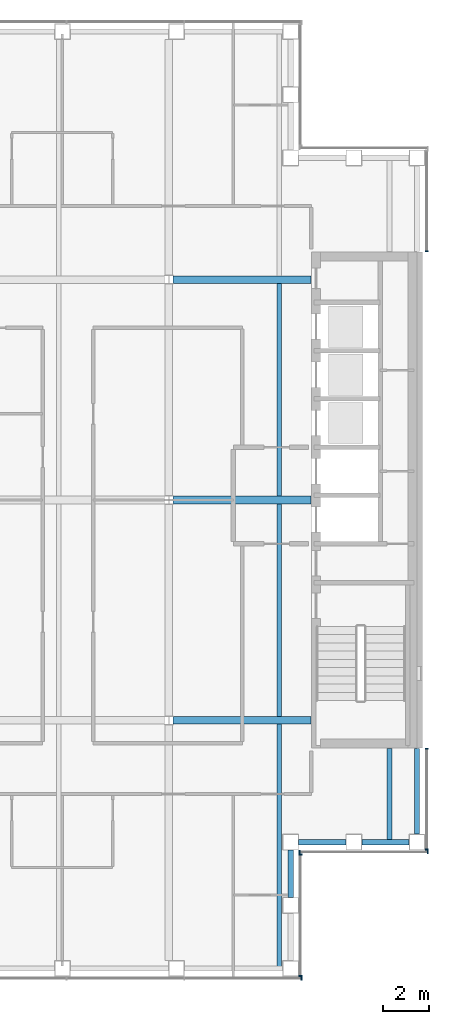
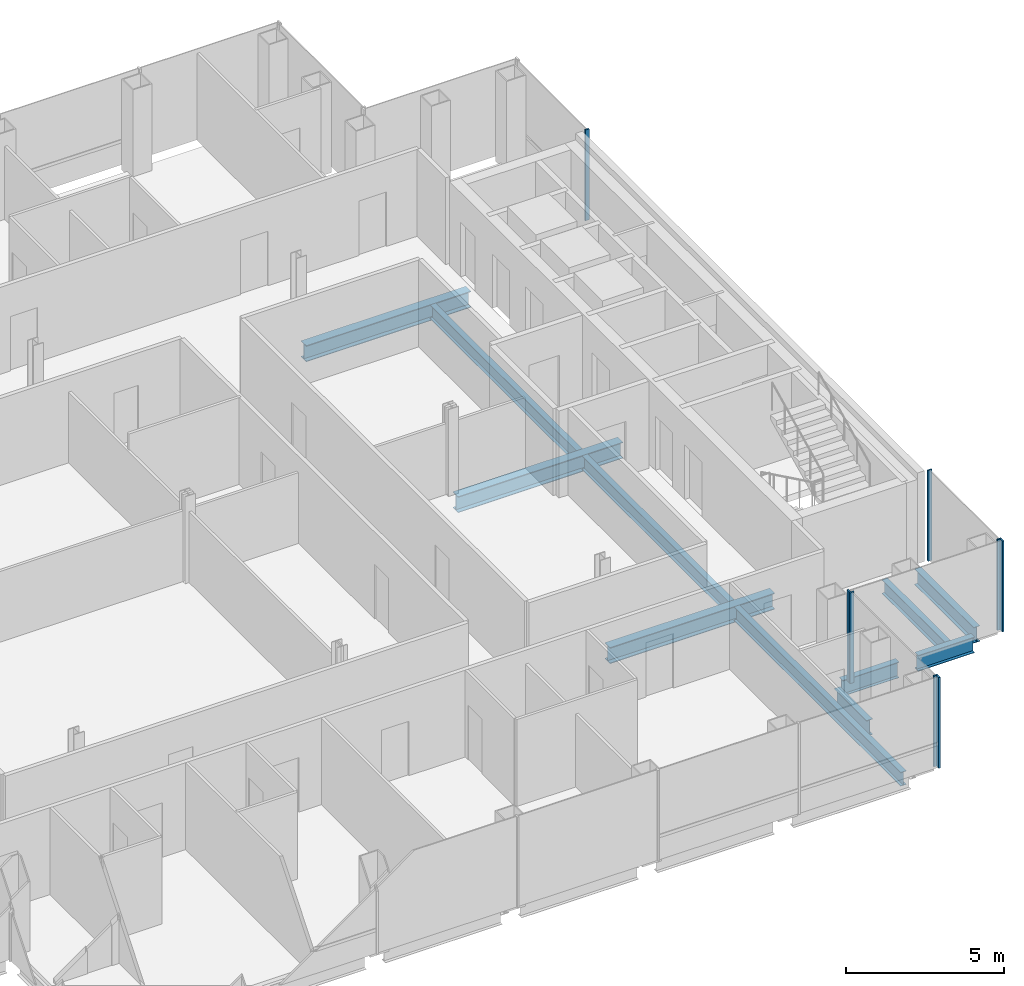
# One storey, part 6 of 15: 11 beams, 8 members, 5 elements without a shape of their own.
"""IFC4 building model written with IfcOpenShell, lengths in metres."""

from ifc_helpers import new_model, si_unit, direction, frame, origin, origin_2d, place, context, subcontext, project, spatial, rectangle, i_section, extrude, material, material_profile, profile_set, type_object, element, aggregate, save


model = new_model("IFC4")

# Units and contexts
model_context = context("Model", 3, precision=1e-05, world=origin(), true_north=direction((0.0, 1.0)))
body_context = subcontext(model_context, "Body", "Model", "MODEL_VIEW")
ifc_project = project(units=[si_unit("LENGTHUNIT", "METRE"), si_unit("AREAUNIT", "SQUARE_METRE"), si_unit("VOLUMEUNIT", "CUBIC_METRE"), si_unit("PLANEANGLEUNIT", "RADIAN"), si_unit("MASSUNIT", "GRAM", prefix="KILO")], contexts=[model_context])

# Site, building, storey
site_placement = place(None, origin())
site = spatial("IfcSite", under=ifc_project, at=site_placement, CompositionType="ELEMENT")
building_placement = place(site_placement, origin())
building = spatial("IfcBuilding", under=site, at=building_placement, Name="Cobrizo Arcos Hotel Tower", CompositionType="ELEMENT")
storey_placement = place(building_placement, frame((0.0, 0.0, 201.5)))
storey = spatial("IfcBuildingStorey", under=building, at=storey_placement, Name="L52", CompositionType="ELEMENT", Elevation=201.5)

# Curtain wall, member
ifc_material_1 = material(Name="Aluminium 6063-T6 anodised bronze", Category="aluminium")
curtain_wall_type = type_object("IfcCurtainWallType", Name="CW-A guest facade", PredefinedType="NOTDEFINED", material=ifc_material_1)
curtain_wall_1_placement = place(storey_placement, origin())
curtain_wall_1 = element("IfcCurtainWall", 1, at=curtain_wall_1_placement, inside=storey, type_object=curtain_wall_type, Name="CW-A L52 S face", PredefinedType="NOTDEFINED")
ifc_material_profile_1 = material_profile(ifc_material_1, rectangle(XDim=0.14990234375, YDim=0.06005859375, at=origin_2d()), Name="CW-A mullion 150x60")
ifc_profile_set_1 = profile_set([ifc_material_profile_1], Name="Aluminium 6063-T6 anodised bronze")
member_type = type_object("IfcMemberType", Name="CW-A mullion 150x60", PredefinedType="MULLION", material=ifc_profile_set_1)
member_1_placement = place(storey_placement, frame((15.3701171875, -20.824951171875, 0.0), z_axis=(0.0, 0.0, 1.0), x_axis=(0.0, -1.0, 0.0)))
member_1 = element("IfcMember", 2, at=member_1_placement, type_object=member_type, Name="CW-A mullion 7", PredefinedType="MULLION", context=body_context, shape_type="SweptSolid", body=[
    extrude(rectangle(XDim=0.14990234375, YDim=0.06005859375, at=origin_2d()), origin(), (0.0, 0.0, 1.0), 3.5),
])
aggregate(curtain_wall_1, [member_1])

# Curtain wall, members
curtain_wall_2_placement = place(storey_placement, origin())
curtain_wall_2 = element("IfcCurtainWall", 3, at=curtain_wall_2_placement, inside=storey, type_object=curtain_wall_type, Name="CW-A L52 E face", PredefinedType="NOTDEFINED")
member_2_placement = place(storey_placement, frame((15.324951171875, -20.719970703125, 0.0), z_axis=(0.0, 0.0, 1.0), x_axis=(1.0, 0.0, 0.0)))
member_2 = element("IfcMember", 4, at=member_2_placement, type_object=member_type, Name="CW-A mullion 1", PredefinedType="MULLION", context=body_context, shape_type="SweptSolid", body=[
    extrude(rectangle(XDim=0.14990234375, YDim=0.06005859375, at=origin_2d()), origin(), (0.0, 0.0, 1.0), 3.5),
])
member_3_placement = place(storey_placement, frame((15.324951171875, -15.429931640625, 0.0), z_axis=(0.0, 0.0, 1.0), x_axis=(1.0, 0.0, 0.0)))
member_3 = element("IfcMember", 5, at=member_3_placement, type_object=member_type, Name="CW-A mullion 2", PredefinedType="MULLION", context=body_context, shape_type="SweptSolid", body=[
    extrude(rectangle(XDim=0.14990234375, YDim=0.06005859375, at=origin_2d()), origin(), (0.0, 0.0, 1.0), 3.5),
])
aggregate(curtain_wall_2, [member_2, member_3])

curtain_wall_3_placement = place(storey_placement, origin())
curtain_wall_3 = element("IfcCurtainWall", 6, at=curtain_wall_3_placement, inside=storey, type_object=curtain_wall_type, Name="CW-A L52 S face", PredefinedType="NOTDEFINED")
member_4_placement = place(storey_placement, frame((15.280029296875, -15.324951171875, 0.0), z_axis=(0.0, 0.0, 1.0), x_axis=(0.0, -1.0, 0.0)))
member_4 = element("IfcMember", 7, at=member_4_placement, type_object=member_type, Name="CW-A mullion 1", PredefinedType="MULLION", context=body_context, shape_type="SweptSolid", body=[
    extrude(rectangle(XDim=0.14990234375, YDim=0.06005859375, at=origin_2d()), origin(), (0.0, 0.0, 1.0), 3.5),
])
member_5_placement = place(storey_placement, frame((20.8701171875, -15.324951171875, 0.0), z_axis=(0.0, 0.0, 1.0), x_axis=(0.0, -1.0, 0.0)))
member_5 = element("IfcMember", 8, at=member_5_placement, type_object=member_type, Name="CW-A mullion 2", PredefinedType="MULLION", context=body_context, shape_type="SweptSolid", body=[
    extrude(rectangle(XDim=0.14990234375, YDim=0.06005859375, at=origin_2d()), origin(), (0.0, 0.0, 1.0), 3.5),
])
aggregate(curtain_wall_3, [member_4, member_5])

curtain_wall_4_placement = place(storey_placement, origin())
curtain_wall_4 = element("IfcCurtainWall", 9, at=curtain_wall_4_placement, inside=storey, type_object=curtain_wall_type, Name="CW-A L52 E face", PredefinedType="NOTDEFINED")
member_6_placement = place(storey_placement, frame((20.824951171875, -15.219970703125, 0.0), z_axis=(0.0, 0.0, 1.0), x_axis=(1.0, 0.0, 0.0)))
member_6 = element("IfcMember", 10, at=member_6_placement, type_object=member_type, Name="CW-A mullion 1", PredefinedType="MULLION", context=body_context, shape_type="SweptSolid", body=[
    extrude(rectangle(XDim=0.14990234375, YDim=0.06005859375, at=origin_2d()), origin(), (0.0, 0.0, 1.0), 3.5),
])
member_7_placement = place(storey_placement, frame((20.824951171875, -10.830078125, 0.0), z_axis=(0.0, 0.0, 1.0), x_axis=(1.0, 0.0, 0.0)))
member_7 = element("IfcMember", 11, at=member_7_placement, type_object=member_type, Name="CW-A mullion 2", PredefinedType="MULLION", context=body_context, shape_type="SweptSolid", body=[
    extrude(rectangle(XDim=0.14990234375, YDim=0.06005859375, at=origin_2d()), origin(), (0.0, 0.0, 1.0), 3.5),
])
aggregate(curtain_wall_4, [member_6, member_7])

# Curtain wall, member
curtain_wall_5_placement = place(storey_placement, origin())
curtain_wall_5 = element("IfcCurtainWall", 12, at=curtain_wall_5_placement, inside=storey, type_object=curtain_wall_type, Name="CW-A L52 E face", PredefinedType="NOTDEFINED")
member_8_placement = place(storey_placement, frame((20.824951171875, 10.830078125, 0.0), z_axis=(0.0, 0.0, 1.0), x_axis=(1.0, 0.0, 0.0)))
member_8 = element("IfcMember", 13, at=member_8_placement, type_object=member_type, Name="CW-A mullion 1", PredefinedType="MULLION", context=body_context, shape_type="SweptSolid", body=[
    extrude(rectangle(XDim=0.14990234375, YDim=0.06005859375, at=origin_2d()), origin(), (0.0, 0.0, 1.0), 3.5),
])
aggregate(curtain_wall_5, [member_8])

# Beams
ifc_material_2 = material(Name="Steel ASTM A992 Grade 50", Category="steel")
ifc_material_profile_2 = material_profile(ifc_material_2, i_section(OverallWidth=0.209228515625, OverallDepth=0.533447265625, WebThickness=0.01025390625, FlangeThickness=0.015625, at=origin_2d()), Name="W21X62")
ifc_profile_set_2 = profile_set([ifc_material_profile_2], Name="Steel ASTM A992 Grade 50")
beam_type_1 = type_object("IfcBeamType", Name="W21X62 joist", PredefinedType="JOIST", material=ifc_profile_set_2)
beam_1_placement = place(storey_placement, frame((14.39990234375, -20.31005859375, -0.416748046875), z_axis=(0.0, 1.0, 0.0), x_axis=(-1.0, 0.0, 0.0)))
element("IfcBeam", 14, at=beam_1_placement, inside=storey, type_object=beam_type_1, Name="Floor joist J1, L52, no. 015", PredefinedType="JOIST", context=body_context, shape_type="SweptSolid", body=[
    extrude(i_section(OverallWidth=0.209228515625, OverallDepth=0.533447265625, WebThickness=0.01025390625, FlangeThickness=0.015625, at=origin_2d()), origin(), (0.0, 0.0, 1.0), 10.546142578125),
])
for number, where, z_axis, x_axis, name in (
    (15, (14.39990234375, -9.43603515625, -0.416748046875), (0.0, 1.0, 0.0), (-1.0, 0.0, 0.0), "Floor joist J1, L52, no. 016"),
    (16, (14.39990234375, 0.163818359375, -0.416748046875), (0.0, 1.0, 0.0), (-1.0, 0.0, 0.0), "Floor joist J1, L52, no. 017"),
):
    element("IfcBeam", number, at=place(storey_placement, frame(where, z_axis=z_axis, x_axis=x_axis)), inside=storey, type_object=beam_type_1, Name=name, PredefinedType="JOIST", context=body_context, shape_type="SweptSolid", body=[
        extrude(i_section(OverallWidth=0.209228515625, OverallDepth=0.533447265625, WebThickness=0.01025390625, FlangeThickness=0.015625, at=origin_2d()), origin(), (0.0, 0.0, 1.0), 9.272216796875),
    ])
beam_2_placement = place(storey_placement, frame((19.199951171875, -14.81005859375, -0.416748046875), z_axis=(0.0, 1.0, 0.0), x_axis=(-1.0, 0.0, 0.0)))
element("IfcBeam", 17, at=beam_2_placement, inside=storey, type_object=beam_type_1, Name="Floor joist J1, L52, no. 019", PredefinedType="JOIST", context=body_context, shape_type="SweptSolid", body=[
    extrude(i_section(OverallWidth=0.209228515625, OverallDepth=0.533447265625, WebThickness=0.01025390625, FlangeThickness=0.015625, at=origin_2d()), origin(), (0.0, 0.0, 1.0), 4.0),
])
ifc_material_profile_3 = material_profile(ifc_material_2, i_section(OverallWidth=0.32763671875, OverallDepth=0.622314453125, WebThickness=0.015380859375, FlangeThickness=0.0244140625, at=origin_2d()), Name="W24X131")
ifc_profile_set_3 = profile_set([ifc_material_profile_3], Name="Steel ASTM A992 Grade 50")
beam_type_2 = type_object("IfcBeamType", Name="W24X131 girder", PredefinedType="BEAM", material=ifc_profile_set_3)
for number, where, z_axis, x_axis, name in (
    (18, (9.78662109375, -9.60009765625, -0.461181640625), (1.0, 0.0, 0.0), (0.0, 1.0, 0.0), "Floor girder G1, L52, no. 004"),
    (19, (9.78662109375, 0.0, -0.461181640625), (1.0, 0.0, 0.0), (0.0, 1.0, 0.0), "Floor girder G1, L52, no. 008"),
    (20, (9.78662109375, 9.60009765625, -0.461181640625), (1.0, 0.0, 0.0), (0.0, 1.0, 0.0), "Floor girder G1, L52, no. 012"),
):
    element("IfcBeam", number, at=place(storey_placement, frame(where, z_axis=z_axis, x_axis=x_axis)), inside=storey, type_object=beam_type_2, Name=name, PredefinedType="BEAM", context=body_context, shape_type="SweptSolid", body=[
        extrude(i_section(OverallWidth=0.32763671875, OverallDepth=0.622314453125, WebThickness=0.015380859375, FlangeThickness=0.0244140625, at=origin_2d()), origin(), (0.0, 0.0, 1.0), 6.00341796875),
    ])
ifc_material_profile_4 = material_profile(ifc_material_2, i_section(OverallWidth=0.228271484375, OverallDepth=0.607177734375, WebThickness=0.01123046875, FlangeThickness=0.017333984375, at=origin_2d()), Name="W24X76")
ifc_profile_set_4 = profile_set([ifc_material_profile_4], Name="Steel ASTM A992 Grade 50")
beam_type_3 = type_object("IfcBeamType", Name="W24X76 spandrel", PredefinedType="SPANDREL", material=ifc_profile_set_4)
for number, where, z_axis, x_axis, name in (
    (21, (14.89990234375, -17.300048828125, -0.45361328125), (0.0, 1.0, 0.0), (-1.0, 0.0, 0.0), "Spandrel beam W24X76, L52, no. 008"),
    (22, (15.25, -14.89990234375, -0.45361328125), (1.0, 0.0, 0.0), (0.0, 1.0, 0.0), "Spandrel beam W24X76, L52, no. 009"),
    (23, (18.0, -14.89990234375, -0.45361328125), (1.0, 0.0, 0.0), (0.0, 1.0, 0.0), "Spandrel beam W24X76, L52, no. 010"),
):
    element("IfcBeam", number, at=place(storey_placement, frame(where, z_axis=z_axis, x_axis=x_axis)), inside=storey, type_object=beam_type_3, Name=name, PredefinedType="SPANDREL", context=body_context, shape_type="SweptSolid", body=[
        extrude(i_section(OverallWidth=0.228271484375, OverallDepth=0.607177734375, WebThickness=0.01123046875, FlangeThickness=0.017333984375, at=origin_2d()), origin(), (0.0, 0.0, 1.0), 2.050048828125),
    ])
beam_3_placement = place(storey_placement, frame((20.39990234375, -14.550048828125, -0.45361328125), z_axis=(0.0, 1.0, 0.0), x_axis=(-1.0, 0.0, 0.0)))
element("IfcBeam", 24, at=beam_3_placement, inside=storey, type_object=beam_type_3, Name="Spandrel beam W24X76, L52, no. 011", PredefinedType="SPANDREL", context=body_context, shape_type="SweptSolid", body=[
    extrude(i_section(OverallWidth=0.228271484375, OverallDepth=0.607177734375, WebThickness=0.01123046875, FlangeThickness=0.017333984375, at=origin_2d()), origin(), (0.0, 0.0, 1.0), 3.739990234375),
])

save(model, "model.ifc")
